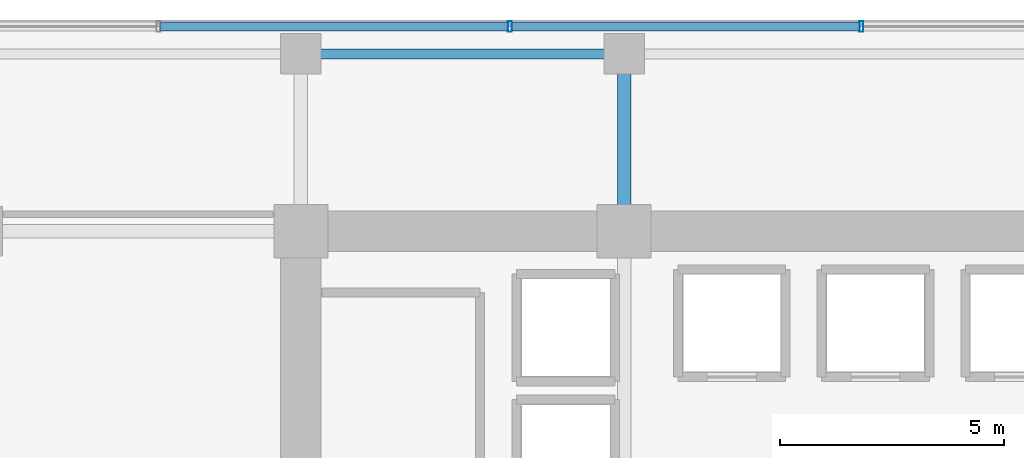
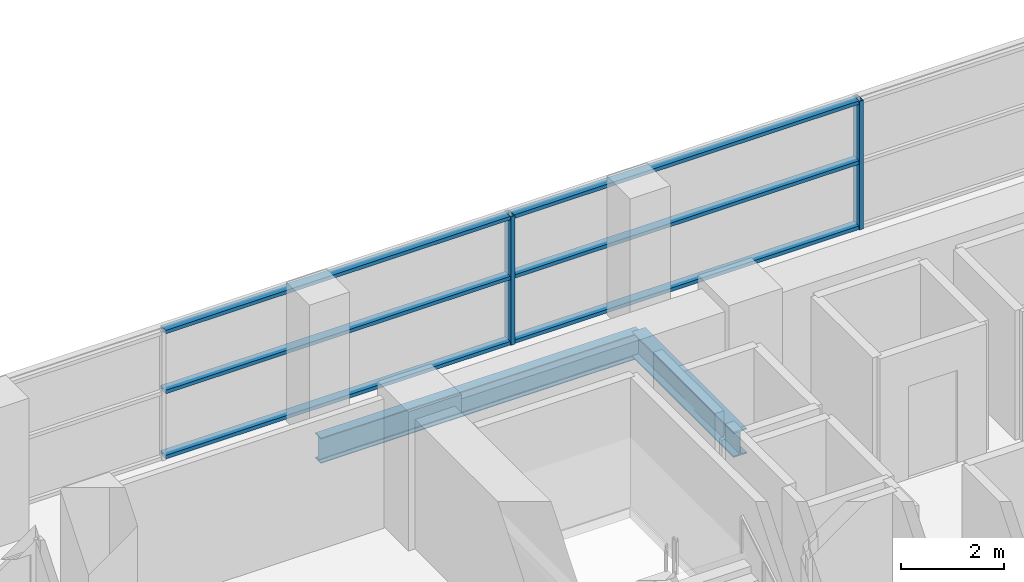
# One storey, part 16 of 28: 8 members, 2 beams, 1 element without a shape of its own.
"""IFC4 building model written with IfcOpenShell, lengths in metres."""

from ifc_helpers import new_model, si_unit, direction, frame, origin, origin_2d, place, context, subcontext, project, spatial, hollow_rectangle, i_section, extrude, source, transform, mapped, material, layer, layer_set, material_profile, profile_set, type_object, element, aggregate, save


model = new_model("IFC4")

# Units and contexts
model_context = context("Model", 3, precision=1e-05, world=origin(), true_north=direction((0.0, 1.0)))
body_context = subcontext(model_context, "Body", "Model", "MODEL_VIEW")
ifc_project = project(units=[si_unit("LENGTHUNIT", "METRE"), si_unit("AREAUNIT", "SQUARE_METRE"), si_unit("VOLUMEUNIT", "CUBIC_METRE"), si_unit("PLANEANGLEUNIT", "RADIAN"), si_unit("MASSUNIT", "GRAM", prefix="KILO")], contexts=[model_context])

# Site, building, storey
site_placement = place(None, origin())
site = spatial("IfcSite", under=ifc_project, at=site_placement, CompositionType="ELEMENT")
building_placement = place(site_placement, origin())
building = spatial("IfcBuilding", under=site, at=building_placement, Name="Zarnakvel Exchange Tower", CompositionType="ELEMENT")
storey_placement = place(building_placement, frame((0.0, 0.0, 57.10009765625)))
storey = spatial("IfcBuildingStorey", under=building, at=storey_placement, Name="L15", CompositionType="ELEMENT", Elevation=57.10009765625)

# Beams
ifc_material_1 = material(Name="Steel S355", Category="steel")
ifc_material_profile_1 = material_profile(ifc_material_1, i_section(OverallWidth=0.300048828125, OverallDepth=0.60009765625, WebThickness=0.015380859375, FlangeThickness=0.030029296875, FilletRadius=0.027099609375, at=origin_2d()))
ifc_profile_set_1 = profile_set([ifc_material_profile_1], Name="Steel S355")
beam_type_1 = type_object("IfcBeamType", Name="G-04", PredefinedType="BEAM", material=ifc_profile_set_1)
beam_1_placement = place(storey_placement, frame((-7.199951171875, 13.5, -0.525146484375), z_axis=(0.0, 1.0, 0.0), x_axis=(-1.0, 0.0, 0.0)))
element("IfcBeam", 1, at=beam_1_placement, inside=storey, type_object=beam_type_1, Name="L15 Tower N-S Frame Beam", PredefinedType="BEAM", context=body_context, shape_type="SweptSolid", body=[
    extrude(i_section(OverallWidth=0.300048828125, OverallDepth=0.60009765625, WebThickness=0.015380859375, FlangeThickness=0.030029296875, FilletRadius=0.027099609375, at=origin_2d()), origin(), (0.0, 0.0, 1.0), 3.949951171875),
])
ifc_material_profile_2 = material_profile(ifc_material_1, i_section(OverallWidth=0.219970703125, OverallDepth=0.60009765625, WebThickness=0.011962890625, FlangeThickness=0.01904296875, FilletRadius=0.02392578125, at=origin_2d()))
ifc_profile_set_2 = profile_set([ifc_material_profile_2], Name="Steel S355")
beam_type_2 = type_object("IfcBeamType", Name="SP-01", PredefinedType="SPANDREL", material=ifc_profile_set_2)
beam_2_placement = place(storey_placement, frame((-14.39990234375, 17.449951171875, -0.525146484375), z_axis=(1.0, 0.0, 0.0), x_axis=(0.0, 1.0, 0.0)))
element("IfcBeam", 2, at=beam_2_placement, inside=storey, type_object=beam_type_2, Name="L15 Tower E-W Frame Beam", PredefinedType="SPANDREL", context=body_context, shape_type="SweptSolid", body=[
    extrude(i_section(OverallWidth=0.219970703125, OverallDepth=0.60009765625, WebThickness=0.011962890625, FlangeThickness=0.01904296875, FilletRadius=0.02392578125, at=origin_2d()), origin(), (0.0, 0.0, 1.0), 7.199951171875),
])

# Curtain wall, members
ifc_material_2 = material(Name="Architectural Bronze Anodised Aluminium", Category="aluminium")
ifc_layer = layer(ifc_material_2, 0.239990234375)
ifc_layer_set = layer_set([ifc_layer], Name="Architectural Bronze Anodised Aluminium")
curtain_wall_type = type_object("IfcCurtainWallType", Name="CW-02", PredefinedType="NOTDEFINED", material=ifc_layer_set)
curtain_wall_placement = place(storey_placement, origin())
curtain_wall = element("IfcCurtainWall", 3, at=curtain_wall_placement, inside=storey, type_object=curtain_wall_type, Name="L15 Curtain Wall CW-L15-N1 (CW-02)", PredefinedType="NOTDEFINED")
ifc_material_profile_3 = material_profile(ifc_material_2, hollow_rectangle(XDim=0.199951171875, YDim=0.0849609375, WallThickness=0.0048828125, at=origin_2d()))
ifc_profile_set_3 = profile_set([ifc_material_profile_3], Name="Architectural Bronze Anodised Aluminium")
member_type_1 = type_object("IfcMemberType", Name="CWT-02", PredefinedType="USERDEFINED", material=ifc_profile_set_3)
shared_shape_1 = source(origin(), body_context, "Body", "SweptSolid", [
    extrude(hollow_rectangle(XDim=0.199951171875, YDim=0.0849609375, WallThickness=0.0048828125, at=origin_2d()), origin(), (0.0, 0.0, 1.0), 7.738525390625),
])
member_1_placement = place(storey_placement, frame((-17.5263671875, 18.06005859375, 0.04248046875), z_axis=(1.0, 0.0, 0.0), x_axis=(0.0, 1.0, 0.0)))
member_1 = element("IfcMember", 4, at=member_1_placement, type_object=member_type_1, Name="CW-02 transom 2.1", ObjectType="TRANSOM", PredefinedType="USERDEFINED", context=body_context, shape_type="MappedRepresentation", body=[
    mapped(shared_shape_1, transform((0.0, 0.0, 0.0), x_axis=(1.0, 0.0, 0.0), y_axis=(0.0, 1.0, 0.0), z_axis=(0.0, 0.0, 1.0), scale=1.0)),
])
member_2_placement = place(storey_placement, frame((-17.5263671875, 18.06005859375, 1.588623046875), z_axis=(1.0, 0.0, 0.0), x_axis=(0.0, 1.0, 0.0)))
member_2 = element("IfcMember", 5, at=member_2_placement, type_object=member_type_1, Name="CW-02 transom 2.2", ObjectType="TRANSOM", PredefinedType="USERDEFINED", context=body_context, shape_type="MappedRepresentation", body=[
    mapped(shared_shape_1, transform((0.0, 0.0, 0.0), x_axis=(1.0, 0.0, 0.0), y_axis=(0.0, 1.0, 0.0), z_axis=(0.0, 0.0, 1.0), scale=1.0)),
])
member_3_placement = place(storey_placement, frame((-17.5263671875, 18.06005859375, 3.012451171875), z_axis=(1.0, 0.0, 0.0), x_axis=(0.0, 1.0, 0.0)))
member_3 = element("IfcMember", 6, at=member_3_placement, type_object=member_type_1, Name="CW-02 transom 2.3", ObjectType="TRANSOM", PredefinedType="USERDEFINED", context=body_context, shape_type="MappedRepresentation", body=[
    mapped(shared_shape_1, transform((0.0, 0.0, 0.0), x_axis=(1.0, 0.0, 0.0), y_axis=(0.0, 1.0, 0.0), z_axis=(0.0, 0.0, 1.0), scale=1.0)),
])
member_4_placement = place(storey_placement, frame((-9.69775390625, 18.06005859375, 0.04248046875), z_axis=(1.0, 0.0, 0.0), x_axis=(0.0, 1.0, 0.0)))
member_4 = element("IfcMember", 7, at=member_4_placement, type_object=member_type_1, Name="CW-02 transom 3.1", ObjectType="TRANSOM", PredefinedType="USERDEFINED", context=body_context, shape_type="MappedRepresentation", body=[
    mapped(shared_shape_1, transform((0.0, 0.0, 0.0), x_axis=(1.0, 0.0, 0.0), y_axis=(0.0, 1.0, 0.0), z_axis=(0.0, 0.0, 1.0), scale=1.0)),
])
member_5_placement = place(storey_placement, frame((-9.69775390625, 18.06005859375, 1.588623046875), z_axis=(1.0, 0.0, 0.0), x_axis=(0.0, 1.0, 0.0)))
member_5 = element("IfcMember", 8, at=member_5_placement, type_object=member_type_1, Name="CW-02 transom 3.2", ObjectType="TRANSOM", PredefinedType="USERDEFINED", context=body_context, shape_type="MappedRepresentation", body=[
    mapped(shared_shape_1, transform((0.0, 0.0, 0.0), x_axis=(1.0, 0.0, 0.0), y_axis=(0.0, 1.0, 0.0), z_axis=(0.0, 0.0, 1.0), scale=1.0)),
])
member_6_placement = place(storey_placement, frame((-9.69775390625, 18.06005859375, 3.012451171875), z_axis=(1.0, 0.0, 0.0), x_axis=(0.0, 1.0, 0.0)))
member_6 = element("IfcMember", 9, at=member_6_placement, type_object=member_type_1, Name="CW-02 transom 3.3", ObjectType="TRANSOM", PredefinedType="USERDEFINED", context=body_context, shape_type="MappedRepresentation", body=[
    mapped(shared_shape_1, transform((0.0, 0.0, 0.0), x_axis=(1.0, 0.0, 0.0), y_axis=(0.0, 1.0, 0.0), z_axis=(0.0, 0.0, 1.0), scale=1.0)),
])
ifc_material_profile_4 = material_profile(ifc_material_2, hollow_rectangle(XDim=0.239990234375, YDim=0.090087890625, WallThickness=0.006103515625, at=origin_2d()))
ifc_profile_set_4 = profile_set([ifc_material_profile_4], Name="Architectural Bronze Anodised Aluminium")
member_type_2 = type_object("IfcMemberType", Name="CWM-02", PredefinedType="MULLION", material=ifc_profile_set_4)
shared_shape_2 = source(origin(), body_context, "Body", "SweptSolid", [
    extrude(hollow_rectangle(XDim=0.239990234375, YDim=0.090087890625, WallThickness=0.006103515625, at=origin_2d()), origin(), (0.0, 0.0, 1.0), 3.054931640625),
])
member_7_placement = place(storey_placement, frame((-9.742919921875, 18.06005859375, 0.0), z_axis=(0.0, 0.0, 1.0), x_axis=(0.0, 1.0, 0.0)))
member_7 = element("IfcMember", 10, at=member_7_placement, type_object=member_type_2, Name="CW-02 mullion 3", PredefinedType="MULLION", context=body_context, shape_type="MappedRepresentation", body=[
    mapped(shared_shape_2, transform((0.0, 0.0, 0.0), x_axis=(1.0, 0.0, 0.0), y_axis=(0.0, 1.0, 0.0), z_axis=(0.0, 0.0, 1.0), scale=1.0)),
])
member_8_placement = place(storey_placement, frame((-1.914306640625, 18.06005859375, 0.0), z_axis=(0.0, 0.0, 1.0), x_axis=(0.0, 1.0, 0.0)))
member_8 = element("IfcMember", 11, at=member_8_placement, type_object=member_type_2, Name="CW-02 mullion 4", PredefinedType="MULLION", context=body_context, shape_type="MappedRepresentation", body=[
    mapped(shared_shape_2, transform((0.0, 0.0, 0.0), x_axis=(1.0, 0.0, 0.0), y_axis=(0.0, 1.0, 0.0), z_axis=(0.0, 0.0, 1.0), scale=1.0)),
])
aggregate(curtain_wall, [member_7, member_8, member_1, member_2, member_3, member_4, member_5, member_6])

save(model, "model.ifc")
